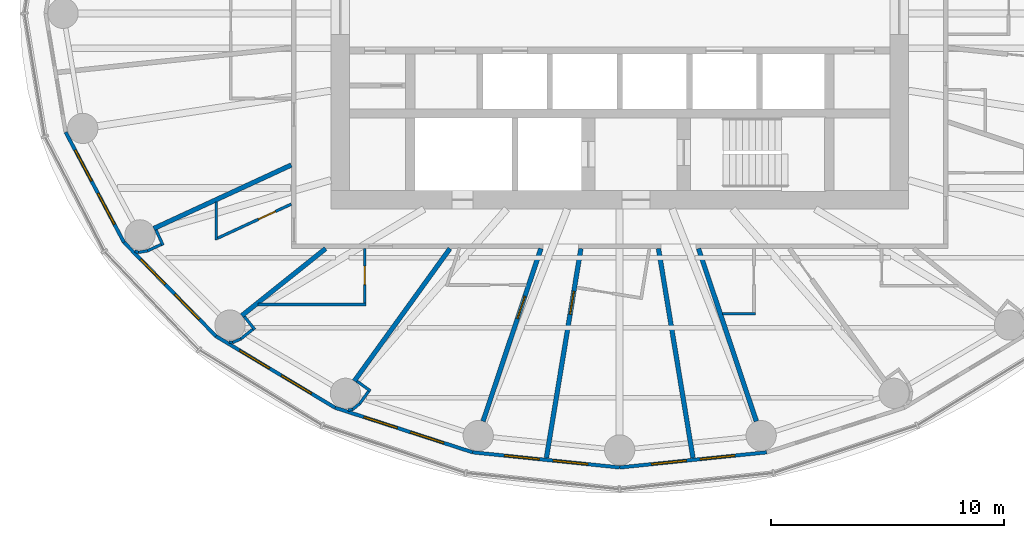
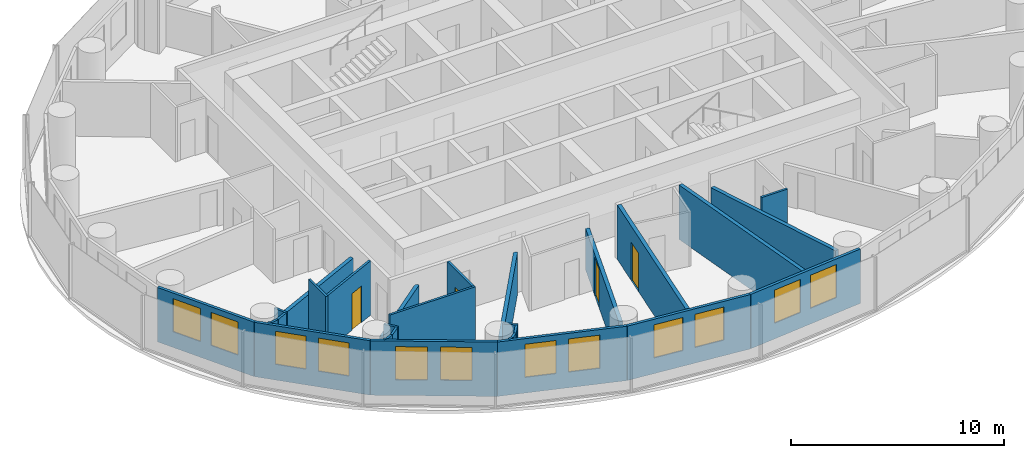
# One storey, part 6 of 13: 30 walls, 12 windows, 4 doors, 16 openings.
"""IFC4 building model written with IfcOpenShell, lengths in metres."""

from ifc_helpers import new_model, si_unit, direction, frame, frame_2d, origin, place, context, subcontext, project, spatial, rectangle, extrude, material, layer, layer_set, type_object, element, fill, save


model = new_model("IFC4")

# Units and contexts
model_context = context("Model", 3, precision=1e-05, world=origin(), true_north=direction((0.0, 1.0)))
body_context = subcontext(model_context, "Body", "Model", "MODEL_VIEW")
ifc_project = project(units=[si_unit("LENGTHUNIT", "METRE"), si_unit("AREAUNIT", "SQUARE_METRE"), si_unit("VOLUMEUNIT", "CUBIC_METRE"), si_unit("PLANEANGLEUNIT", "RADIAN"), si_unit("MASSUNIT", "GRAM", prefix="KILO")], contexts=[model_context])

# Site, building, storey
site_placement = place(None, origin())
site = spatial("IfcSite", under=ifc_project, at=site_placement, CompositionType="ELEMENT")
building_placement = place(site_placement, origin())
building = spatial("IfcBuilding", under=site, at=building_placement, Name="Hankou Lantern Tower", CompositionType="ELEMENT")
storey_placement = place(building_placement, frame((0.0, 0.0, 128.699951171875)))
storey = spatial("IfcBuildingStorey", under=building, at=storey_placement, Name="L33", CompositionType="ELEMENT", Elevation=128.699951171875)

# Wall, openings, windows
ifc_material_1 = material(Name="Aluminium spandrel panel on steel studs", Category="steel")
ifc_layer_1 = layer(ifc_material_1, 0.14990234375)
ifc_layer_set_1 = layer_set([ifc_layer_1], Name="Aluminium spandrel panel on steel studs")
wall_type_1 = type_object("IfcWallType", Name="EW1 INNER SKIN WALL 150", PredefinedType="ELEMENTEDWALL", material=ifc_layer_set_1)
wall_1_placement = place(storey_placement, frame((-23.7919921875, -5.10009765625, 0.0), z_axis=(0.0, 0.0, 1.0), x_axis=(0.467814388454, -0.883826735257, 0.0)))
wall_1 = element("IfcWall", 1, at=wall_1_placement, inside=storey, type_object=wall_type_1, Name="Inner skin R14-R15 L33", PredefinedType="ELEMENTEDWALL", context=body_context, shape_type="SweptSolid", body=[
    extrude(rectangle(XDim=5.35400390625, YDim=0.14990234375, at=frame_2d((2.677001953125, 0.0))), origin(), (0.0, 0.0, 1.0), 3.1201171875),
])
opening_1_placement = place(wall_1_placement, frame((0.876953125, 0.0, 0.89990234375)))
opening_1 = element("IfcOpeningElement", 2, at=opening_1_placement, cuts=wall_1, Name="Opening W2", PredefinedType="OPENING", context=body_context, shape_type="SweptSolid", body=[
    extrude(rectangle(XDim=1.5, YDim=1.89990234375, at=frame_2d((0.75, 0.949951171875))), frame((0.0, 0.0849609375, 0.0), z_axis=(0.0, -1.0, 0.0), x_axis=(1.0, 0.0, 0.0)), (0.0, 0.0, 1.0), 0.169921875),
])
opening_2_placement = place(wall_1_placement, frame((2.97705078125, 0.0, 0.89990234375)))
opening_2 = element("IfcOpeningElement", 3, at=opening_2_placement, cuts=wall_1, Name="Opening W2", PredefinedType="OPENING", context=body_context, shape_type="SweptSolid", body=[
    extrude(rectangle(XDim=1.5, YDim=1.89990234375, at=frame_2d((0.75, 0.949951171875))), frame((0.0, 0.0849609375, 0.0), z_axis=(0.0, -1.0, 0.0), x_axis=(1.0, 0.0, 0.0)), (0.0, 0.0, 1.0), 0.169921875),
])
ifc_material_2 = material(Name="Aluminium framed double glazed window", Category="aluminium")
window_type = type_object("IfcWindowType", Name="W2 GUEST ROOM WINDOW 1500X1900", PartitioningType="DOUBLE_PANEL_VERTICAL", PredefinedType="WINDOW", material=ifc_material_2)
window_1_placement = place(opening_1_placement, origin())
window_1 = element("IfcWindow", 4, at=window_1_placement, inside=storey, type_object=window_type, Name="Window R14.1 L33", OverallHeight=1.89990234375, OverallWidth=1.5, PartitioningType="SINGLE_PANEL", PredefinedType="WINDOW", context=body_context, shape_type="SweptSolid", body=[
    extrude(rectangle(XDim=1.5, YDim=1.89990234375, at=frame_2d((0.75, 0.949951171875))), frame((0.0, 0.030029296875, 0.0), z_axis=(0.0, -1.0, 0.0), x_axis=(1.0, 0.0, 0.0)), (0.0, 0.0, 1.0), 0.06005859375),
])
fill(opening_1, window_1)
window_2_placement = place(opening_2_placement, origin())
window_2 = element("IfcWindow", 5, at=window_2_placement, inside=storey, type_object=window_type, Name="Window R14.2 L33", OverallHeight=1.89990234375, OverallWidth=1.5, PartitioningType="SINGLE_PANEL", PredefinedType="WINDOW", context=body_context, shape_type="SweptSolid", body=[
    extrude(rectangle(XDim=1.5, YDim=1.89990234375, at=frame_2d((0.75, 0.949951171875))), frame((0.0, 0.030029296875, 0.0), z_axis=(0.0, -1.0, 0.0), x_axis=(1.0, 0.0, 0.0)), (0.0, 0.0, 1.0), 0.06005859375),
])
fill(opening_2, window_2)

wall_2_placement = place(storey_placement, frame((-21.287353515625, -9.83203125, 0.0), z_axis=(0.0, 0.0, 1.0), x_axis=(0.700136650834, -0.714008872605, 0.0)))
wall_2 = element("IfcWall", 6, at=wall_2_placement, inside=storey, type_object=wall_type_1, Name="Inner skin R15-R16 L33", PredefinedType="ELEMENTEDWALL", context=body_context, shape_type="SweptSolid", body=[
    extrude(rectangle(XDim=5.6494140625, YDim=0.14990234375, at=frame_2d((2.82470703125, 0.0))), origin(), (0.0, 0.0, 1.0), 3.1201171875),
])
opening_3_placement = place(wall_2_placement, frame((1.024658203125, 0.0, 0.89990234375)))
opening_3 = element("IfcOpeningElement", 7, at=opening_3_placement, cuts=wall_2, Name="Opening W2", PredefinedType="OPENING", context=body_context, shape_type="SweptSolid", body=[
    extrude(rectangle(XDim=1.5, YDim=1.89990234375, at=frame_2d((0.75, 0.949951171875))), frame((0.0, 0.0849609375, 0.0), z_axis=(0.0, -1.0, 0.0), x_axis=(1.0, 0.0, 0.0)), (0.0, 0.0, 1.0), 0.169921875),
])
opening_4_placement = place(wall_2_placement, frame((3.12451171875, 0.0, 0.89990234375)))
opening_4 = element("IfcOpeningElement", 8, at=opening_4_placement, cuts=wall_2, Name="Opening W2", PredefinedType="OPENING", context=body_context, shape_type="SweptSolid", body=[
    extrude(rectangle(XDim=1.5, YDim=1.89990234375, at=frame_2d((0.75, 0.949951171875))), frame((0.0, 0.0849609375, 0.0), z_axis=(0.0, -1.0, 0.0), x_axis=(1.0, 0.0, 0.0)), (0.0, 0.0, 1.0), 0.169921875),
])
window_3_placement = place(opening_3_placement, origin())
window_3 = element("IfcWindow", 9, at=window_3_placement, inside=storey, type_object=window_type, Name="Window R15.1 L33", OverallHeight=1.89990234375, OverallWidth=1.5, PartitioningType="SINGLE_PANEL", PredefinedType="WINDOW", context=body_context, shape_type="SweptSolid", body=[
    extrude(rectangle(XDim=1.5, YDim=1.89990234375, at=frame_2d((0.75, 0.949951171875))), frame((0.0, 0.030029296875, 0.0), z_axis=(0.0, -1.0, 0.0), x_axis=(1.0, 0.0, 0.0)), (0.0, 0.0, 1.0), 0.06005859375),
])
fill(opening_3, window_3)
window_4_placement = place(opening_4_placement, origin())
window_4 = element("IfcWindow", 10, at=window_4_placement, inside=storey, type_object=window_type, Name="Window R15.2 L33", OverallHeight=1.89990234375, OverallWidth=1.5, PartitioningType="SINGLE_PANEL", PredefinedType="WINDOW", context=body_context, shape_type="SweptSolid", body=[
    extrude(rectangle(XDim=1.5, YDim=1.89990234375, at=frame_2d((0.75, 0.949951171875))), frame((0.0, 0.030029296875, 0.0), z_axis=(0.0, -1.0, 0.0), x_axis=(1.0, 0.0, 0.0)), (0.0, 0.0, 1.0), 0.06005859375),
])
fill(opening_4, window_4)

wall_3_placement = place(storey_placement, frame((-17.33203125, -13.86572265625, 0.0), z_axis=(0.0, 0.0, 1.0), x_axis=(0.857308573723, -0.514802884044, 0.0)))
wall_3 = element("IfcWall", 11, at=wall_3_placement, inside=storey, type_object=wall_type_1, Name="Inner skin R16-R17 L33", PredefinedType="ELEMENTEDWALL", context=body_context, shape_type="SweptSolid", body=[
    extrude(rectangle(XDim=5.961181640625, YDim=0.14990234375, at=frame_2d((2.98046875, 0.0))), origin(), (0.0, 0.0, 1.0), 3.1201171875),
])
opening_5_placement = place(wall_3_placement, frame((1.1806640625, 0.0, 0.89990234375)))
opening_5 = element("IfcOpeningElement", 12, at=opening_5_placement, cuts=wall_3, Name="Opening W2", PredefinedType="OPENING", context=body_context, shape_type="SweptSolid", body=[
    extrude(rectangle(XDim=1.5, YDim=1.89990234375, at=frame_2d((0.75, 0.949951171875))), frame((0.0, 0.0849609375, 0.0), z_axis=(0.0, -1.0, 0.0), x_axis=(1.0, 0.0, 0.0)), (0.0, 0.0, 1.0), 0.169921875),
])
opening_6_placement = place(wall_3_placement, frame((3.280517578125, 0.0, 0.89990234375)))
opening_6 = element("IfcOpeningElement", 13, at=opening_6_placement, cuts=wall_3, Name="Opening W2", PredefinedType="OPENING", context=body_context, shape_type="SweptSolid", body=[
    extrude(rectangle(XDim=1.5, YDim=1.89990234375, at=frame_2d((0.75, 0.949951171875))), frame((0.0, 0.0849609375, 0.0), z_axis=(0.0, -1.0, 0.0), x_axis=(1.0, 0.0, 0.0)), (0.0, 0.0, 1.0), 0.169921875),
])
window_5_placement = place(opening_5_placement, origin())
window_5 = element("IfcWindow", 14, at=window_5_placement, inside=storey, type_object=window_type, Name="Window R16.1 L33", OverallHeight=1.89990234375, OverallWidth=1.5, PartitioningType="SINGLE_PANEL", PredefinedType="WINDOW", context=body_context, shape_type="SweptSolid", body=[
    extrude(rectangle(XDim=1.5, YDim=1.89990234375, at=frame_2d((0.75, 0.949951171875))), frame((0.0, 0.030029296875, 0.0), z_axis=(0.0, -1.0, 0.0), x_axis=(1.0, 0.0, 0.0)), (0.0, 0.0, 1.0), 0.06005859375),
])
fill(opening_5, window_5)
window_6_placement = place(opening_6_placement, origin())
window_6 = element("IfcWindow", 15, at=window_6_placement, inside=storey, type_object=window_type, Name="Window R16.2 L33", OverallHeight=1.89990234375, OverallWidth=1.5, PartitioningType="SINGLE_PANEL", PredefinedType="WINDOW", context=body_context, shape_type="SweptSolid", body=[
    extrude(rectangle(XDim=1.5, YDim=1.89990234375, at=frame_2d((0.75, 0.949951171875))), frame((0.0, 0.030029296875, 0.0), z_axis=(0.0, -1.0, 0.0), x_axis=(1.0, 0.0, 0.0)), (0.0, 0.0, 1.0), 0.06005859375),
])
fill(opening_6, window_6)

wall_4_placement = place(storey_placement, frame((-12.221435546875, -16.9345703125, 0.0), z_axis=(0.0, 0.0, 1.0), x_axis=(0.951272691506, -0.308350881944, 0.0)))
wall_4 = element("IfcWall", 16, at=wall_4_placement, inside=storey, type_object=wall_type_1, Name="Inner skin R17-R18 L33", PredefinedType="ELEMENTEDWALL", context=body_context, shape_type="SweptSolid", body=[
    extrude(rectangle(XDim=6.210693359375, YDim=0.14990234375, at=frame_2d((3.10546875, 0.0))), origin(), (0.0, 0.0, 1.0), 3.1201171875),
])
opening_7_placement = place(wall_4_placement, frame((1.305419921875, 0.0, 0.89990234375)))
opening_7 = element("IfcOpeningElement", 17, at=opening_7_placement, cuts=wall_4, Name="Opening W2", PredefinedType="OPENING", context=body_context, shape_type="SweptSolid", body=[
    extrude(rectangle(XDim=1.5, YDim=1.89990234375, at=frame_2d((0.75, 0.949951171875))), frame((0.0, 0.0849609375, 0.0), z_axis=(0.0, -1.0, 0.0), x_axis=(1.0, 0.0, 0.0)), (0.0, 0.0, 1.0), 0.169921875),
])
opening_8_placement = place(wall_4_placement, frame((3.4052734375, 0.0, 0.89990234375)))
opening_8 = element("IfcOpeningElement", 18, at=opening_8_placement, cuts=wall_4, Name="Opening W2", PredefinedType="OPENING", context=body_context, shape_type="SweptSolid", body=[
    extrude(rectangle(XDim=1.5, YDim=1.89990234375, at=frame_2d((0.75, 0.949951171875))), frame((0.0, 0.0849609375, 0.0), z_axis=(0.0, -1.0, 0.0), x_axis=(1.0, 0.0, 0.0)), (0.0, 0.0, 1.0), 0.169921875),
])
window_7_placement = place(opening_7_placement, origin())
window_7 = element("IfcWindow", 19, at=window_7_placement, inside=storey, type_object=window_type, Name="Window R17.1 L33", OverallHeight=1.89990234375, OverallWidth=1.5, PartitioningType="SINGLE_PANEL", PredefinedType="WINDOW", context=body_context, shape_type="SweptSolid", body=[
    extrude(rectangle(XDim=1.5, YDim=1.89990234375, at=frame_2d((0.75, 0.949951171875))), frame((0.0, 0.030029296875, 0.0), z_axis=(0.0, -1.0, 0.0), x_axis=(1.0, 0.0, 0.0)), (0.0, 0.0, 1.0), 0.06005859375),
])
fill(opening_7, window_7)
window_8_placement = place(opening_8_placement, origin())
window_8 = element("IfcWindow", 20, at=window_8_placement, inside=storey, type_object=window_type, Name="Window R17.2 L33", OverallHeight=1.89990234375, OverallWidth=1.5, PartitioningType="SINGLE_PANEL", PredefinedType="WINDOW", context=body_context, shape_type="SweptSolid", body=[
    extrude(rectangle(XDim=1.5, YDim=1.89990234375, at=frame_2d((0.75, 0.949951171875))), frame((0.0, 0.030029296875, 0.0), z_axis=(0.0, -1.0, 0.0), x_axis=(1.0, 0.0, 0.0)), (0.0, 0.0, 1.0), 0.06005859375),
])
fill(opening_8, window_8)

wall_5_placement = place(storey_placement, frame((-6.3134765625, -18.849609375, 0.0), z_axis=(0.0, 0.0, 1.0), x_axis=(0.994735690163, -0.102473931887, 0.0)))
wall_5 = element("IfcWall", 21, at=wall_5_placement, inside=storey, type_object=wall_type_1, Name="Inner skin R18-R19 L33", PredefinedType="ELEMENTEDWALL", context=body_context, shape_type="SweptSolid", body=[
    extrude(rectangle(XDim=6.346923828125, YDim=0.14990234375, at=frame_2d((3.17333984375, 0.0))), origin(), (0.0, 0.0, 1.0), 3.1201171875),
])
opening_9_placement = place(wall_5_placement, frame((1.373291015625, 0.0, 0.89990234375)))
opening_9 = element("IfcOpeningElement", 22, at=opening_9_placement, cuts=wall_5, Name="Opening W2", PredefinedType="OPENING", context=body_context, shape_type="SweptSolid", body=[
    extrude(rectangle(XDim=1.5, YDim=1.89990234375, at=frame_2d((0.75, 0.949951171875))), frame((0.0, 0.0849609375, 0.0), z_axis=(0.0, -1.0, 0.0), x_axis=(1.0, 0.0, 0.0)), (0.0, 0.0, 1.0), 0.169921875),
])
opening_10_placement = place(wall_5_placement, frame((3.473388671875, 0.0, 0.89990234375)))
opening_10 = element("IfcOpeningElement", 23, at=opening_10_placement, cuts=wall_5, Name="Opening W2", PredefinedType="OPENING", context=body_context, shape_type="SweptSolid", body=[
    extrude(rectangle(XDim=1.5, YDim=1.89990234375, at=frame_2d((0.75, 0.949951171875))), frame((0.0, 0.0849609375, 0.0), z_axis=(0.0, -1.0, 0.0), x_axis=(1.0, 0.0, 0.0)), (0.0, 0.0, 1.0), 0.169921875),
])
window_9_placement = place(opening_9_placement, origin())
window_9 = element("IfcWindow", 24, at=window_9_placement, inside=storey, type_object=window_type, Name="Window R18.1 L33", OverallHeight=1.89990234375, OverallWidth=1.5, PartitioningType="SINGLE_PANEL", PredefinedType="WINDOW", context=body_context, shape_type="SweptSolid", body=[
    extrude(rectangle(XDim=1.5, YDim=1.89990234375, at=frame_2d((0.75, 0.949951171875))), frame((0.0, 0.030029296875, 0.0), z_axis=(0.0, -1.0, 0.0), x_axis=(1.0, 0.0, 0.0)), (0.0, 0.0, 1.0), 0.06005859375),
])
fill(opening_9, window_9)
window_10_placement = place(opening_10_placement, origin())
window_10 = element("IfcWindow", 25, at=window_10_placement, inside=storey, type_object=window_type, Name="Window R18.2 L33", OverallHeight=1.89990234375, OverallWidth=1.5, PartitioningType="SINGLE_PANEL", PredefinedType="WINDOW", context=body_context, shape_type="SweptSolid", body=[
    extrude(rectangle(XDim=1.5, YDim=1.89990234375, at=frame_2d((0.75, 0.949951171875))), frame((0.0, 0.030029296875, 0.0), z_axis=(0.0, -1.0, 0.0), x_axis=(1.0, 0.0, 0.0)), (0.0, 0.0, 1.0), 0.06005859375),
])
fill(opening_10, window_10)

wall_6_placement = place(storey_placement, frame((0.0, -19.5, 0.0), z_axis=(0.0, 0.0, 1.0), x_axis=(0.994735690163, 0.102473931887, 0.0)))
wall_6 = element("IfcWall", 26, at=wall_6_placement, inside=storey, type_object=wall_type_1, Name="Inner skin R19-R20 L33", PredefinedType="ELEMENTEDWALL", context=body_context, shape_type="SweptSolid", body=[
    extrude(rectangle(XDim=6.346923828125, YDim=0.14990234375, at=frame_2d((3.17333984375, 0.0))), origin(), (0.0, 0.0, 1.0), 3.1201171875),
])
opening_11_placement = place(wall_6_placement, frame((1.373291015625, 0.0, 0.89990234375)))
opening_11 = element("IfcOpeningElement", 27, at=opening_11_placement, cuts=wall_6, Name="Opening W2", PredefinedType="OPENING", context=body_context, shape_type="SweptSolid", body=[
    extrude(rectangle(XDim=1.5, YDim=1.89990234375, at=frame_2d((0.75, 0.949951171875))), frame((0.0, 0.0849609375, 0.0), z_axis=(0.0, -1.0, 0.0), x_axis=(1.0, 0.0, 0.0)), (0.0, 0.0, 1.0), 0.169921875),
])
opening_12_placement = place(wall_6_placement, frame((3.473388671875, 0.0, 0.89990234375)))
opening_12 = element("IfcOpeningElement", 28, at=opening_12_placement, cuts=wall_6, Name="Opening W2", PredefinedType="OPENING", context=body_context, shape_type="SweptSolid", body=[
    extrude(rectangle(XDim=1.5, YDim=1.89990234375, at=frame_2d((0.75, 0.949951171875))), frame((0.0, 0.0849609375, 0.0), z_axis=(0.0, -1.0, 0.0), x_axis=(1.0, 0.0, 0.0)), (0.0, 0.0, 1.0), 0.169921875),
])
window_11_placement = place(opening_11_placement, origin())
window_11 = element("IfcWindow", 29, at=window_11_placement, inside=storey, type_object=window_type, Name="Window R19.1 L33", OverallHeight=1.89990234375, OverallWidth=1.5, PartitioningType="SINGLE_PANEL", PredefinedType="WINDOW", context=body_context, shape_type="SweptSolid", body=[
    extrude(rectangle(XDim=1.5, YDim=1.89990234375, at=frame_2d((0.75, 0.949951171875))), frame((0.0, 0.030029296875, 0.0), z_axis=(0.0, -1.0, 0.0), x_axis=(1.0, 0.0, 0.0)), (0.0, 0.0, 1.0), 0.06005859375),
])
fill(opening_11, window_11)
window_12_placement = place(opening_12_placement, origin())
window_12 = element("IfcWindow", 30, at=window_12_placement, inside=storey, type_object=window_type, Name="Window R19.2 L33", OverallHeight=1.89990234375, OverallWidth=1.5, PartitioningType="SINGLE_PANEL", PredefinedType="WINDOW", context=body_context, shape_type="SweptSolid", body=[
    extrude(rectangle(XDim=1.5, YDim=1.89990234375, at=frame_2d((0.75, 0.949951171875))), frame((0.0, 0.030029296875, 0.0), z_axis=(0.0, -1.0, 0.0), x_axis=(1.0, 0.0, 0.0)), (0.0, 0.0, 1.0), 0.06005859375),
])
fill(opening_12, window_12)

# Walls
ifc_material_3 = material(Name="Masonry lightweight concrete block", Category="masonry")
ifc_layer_2 = layer(ifc_material_3, 0.199951171875)
ifc_layer_set_2 = layer_set([ifc_layer_2], Name="Masonry lightweight concrete block")
wall_type_2 = type_object("IfcWallType", Name="IW1 GUEST ROOM PARTY WALL 200", PredefinedType="PARTITIONING", material=ifc_layer_set_2)
wall_7_placement = place(storey_placement, frame((-14.10009765625, -6.512451171875, 0.0), z_axis=(0.0, 0.0, 1.0), x_axis=(-0.907833019998, -0.419331858797, 0.0)))
element("IfcWall", 31, at=wall_7_placement, inside=storey, type_object=wall_type_2, Name="Party wall R15", PredefinedType="PARTITIONING", context=body_context, shape_type="SweptSolid", body=[
    extrude(rectangle(XDim=6.505126953125, YDim=0.199951171875, at=frame_2d((3.25244140625, 0.0))), origin(), (0.0, 0.0, 1.0), 2.27001953125),
])
wall_8_placement = place(storey_placement, frame((-12.625, -10.10009765625, 0.0), z_axis=(0.0, 0.0, 1.0), x_axis=(-0.780863644897, -0.624701503182, 0.0)))
element("IfcWall", 32, at=wall_8_placement, inside=storey, type_object=wall_type_2, Name="Party wall R16", PredefinedType="PARTITIONING", context=body_context, shape_type="SweptSolid", body=[
    extrude(rectangle(XDim=4.612060546875, YDim=0.199951171875, at=frame_2d((2.30615234375, 0.0))), origin(), (0.0, 0.0, 1.0), 2.3701171875),
])
wall_9_placement = place(storey_placement, frame((-7.2890625, -10.10009765625, 0.0), z_axis=(0.0, 0.0, 1.0), x_axis=(-0.585217367024, -0.81087645997, 0.0)))
element("IfcWall", 33, at=wall_9_placement, inside=storey, type_object=wall_type_2, Name="Party wall R17", PredefinedType="PARTITIONING", context=body_context, shape_type="SweptSolid", body=[
    extrude(rectangle(XDim=7.01611328125, YDim=0.199951171875, at=frame_2d((3.508056640625, 0.0))), origin(), (0.0, 0.0, 1.0), 2.3701171875),
])

# Wall, opening, door
ifc_material_4 = material(Name="Masonry lightweight concrete block", Category="masonry")
ifc_layer_3 = layer(ifc_material_4, 0.199951171875)
ifc_layer_set_3 = layer_set([ifc_layer_3], Name="Masonry lightweight concrete block")
wall_type_3 = type_object("IfcWallType", Name="IW2 CORRIDOR WALL 200", PredefinedType="PARTITIONING", material=ifc_layer_set_3)
wall_10_placement = place(storey_placement, frame((-3.3828125, -10.10009765625, 0.0), z_axis=(0.0, 0.0, 1.0), x_axis=(-0.317603705574, -0.948223542318, 0.0)))
wall_10 = element("IfcWall", 34, at=wall_10_placement, inside=storey, type_object=wall_type_3, Name="Corridor spur wall R18", PredefinedType="PARTITIONING", context=body_context, shape_type="SweptSolid", body=[
    extrude(rectangle(XDim=7.822998046875, YDim=0.199951171875, at=frame_2d((3.91162109375, 0.0))), origin(), (0.0, 0.0, 1.0), 2.3701171875),
])
opening_13_placement = place(wall_10_placement, frame((2.168212890625, 0.0, 0.0)))
opening_13 = element("IfcOpeningElement", 35, at=opening_13_placement, cuts=wall_10, Name="Opening D1", PredefinedType="OPENING", context=body_context, shape_type="SweptSolid", body=[
    extrude(rectangle(XDim=1.0, YDim=2.199951171875, at=frame_2d((0.5, 1.10009765625))), frame((0.0, 0.10986328125, 0.0), z_axis=(0.0, -1.0, 0.0), x_axis=(1.0, 0.0, 0.0)), (0.0, 0.0, 1.0), 0.219970703125),
])
ifc_material_5 = material(Name="Steel door leaf", Category="steel")
door_type_1 = type_object("IfcDoorType", Name="D1 GUEST ROOM DOOR 1000X2200", OperationType="SINGLE_SWING_LEFT", PredefinedType="DOOR", material=ifc_material_5)
door_1_placement = place(opening_13_placement, origin())
door_1 = element("IfcDoor", 36, at=door_1_placement, inside=storey, type_object=door_type_1, Name="Guest room door 3310", OperationType="SINGLE_SWING_LEFT", OverallHeight=2.199951171875, OverallWidth=1.0, PredefinedType="DOOR", context=body_context, shape_type="SweptSolid", body=[
    extrude(rectangle(XDim=1.0, YDim=2.199951171875, at=frame_2d((0.5, 1.10009765625))), frame((0.0, 0.02490234375, 0.0), z_axis=(0.0, -1.0, 0.0), x_axis=(1.0, 0.0, 0.0)), (0.0, 0.0, 1.0), 0.050048828125),
])
fill(opening_13, door_1)

wall_11_placement = place(storey_placement, frame((-1.665283203125, -10.10009765625, 0.0), z_axis=(0.0, 0.0, 1.0), x_axis=(-0.162660519103, -0.986682094459, 0.0)))
wall_11 = element("IfcWall", 37, at=wall_11_placement, inside=storey, type_object=wall_type_3, Name="Corridor spur wall R18-R19", PredefinedType="PARTITIONING", context=body_context, shape_type="SweptSolid", body=[
    extrude(rectangle(XDim=9.110595703125, YDim=0.199951171875, at=frame_2d((4.55517578125, 0.0))), origin(), (0.0, 0.0, 1.0), 3.1201171875),
])
opening_14_placement = place(wall_11_placement, frame((1.860107421875, 0.0, 0.0)))
opening_14 = element("IfcOpeningElement", 38, at=opening_14_placement, cuts=wall_11, Name="Opening D1", PredefinedType="OPENING", context=body_context, shape_type="SweptSolid", body=[
    extrude(rectangle(XDim=1.0, YDim=2.199951171875, at=frame_2d((0.5, 1.10009765625))), frame((0.0, 0.10986328125, 0.0), z_axis=(0.0, -1.0, 0.0), x_axis=(1.0, 0.0, 0.0)), (0.0, 0.0, 1.0), 0.219970703125),
])
door_2_placement = place(opening_14_placement, origin())
door_2 = element("IfcDoor", 39, at=door_2_placement, inside=storey, type_object=door_type_1, Name="Guest room door 3312", OperationType="SINGLE_SWING_LEFT", OverallHeight=2.199951171875, OverallWidth=1.0, PredefinedType="DOOR", context=body_context, shape_type="SweptSolid", body=[
    extrude(rectangle(XDim=1.0, YDim=2.199951171875, at=frame_2d((0.5, 1.10009765625))), frame((0.0, 0.02490234375, 0.0), z_axis=(0.0, -1.0, 0.0), x_axis=(1.0, 0.0, 0.0)), (0.0, 0.0, 1.0), 0.050048828125),
])
fill(opening_14, door_2)

# Walls
wall_12_placement = place(storey_placement, frame((1.665283203125, -10.10009765625, 0.0), z_axis=(0.0, 0.0, 1.0), x_axis=(0.162660519103, -0.986682094459, 0.0)))
element("IfcWall", 40, at=wall_12_placement, inside=storey, type_object=wall_type_3, Name="Corridor spur wall R19-R20", PredefinedType="PARTITIONING", context=body_context, shape_type="SweptSolid", body=[
    extrude(rectangle(XDim=9.110595703125, YDim=0.199951171875, at=frame_2d((4.55517578125, 0.0))), origin(), (0.0, 0.0, 1.0), 3.1201171875),
])
wall_13_placement = place(storey_placement, frame((3.3828125, -10.10009765625, 0.0), z_axis=(0.0, 0.0, 1.0), x_axis=(0.317603705574, -0.948223542318, 0.0)))
element("IfcWall", 41, at=wall_13_placement, inside=storey, type_object=wall_type_3, Name="Corridor spur wall R20", PredefinedType="PARTITIONING", context=body_context, shape_type="SweptSolid", body=[
    extrude(rectangle(XDim=7.822998046875, YDim=0.199951171875, at=frame_2d((3.91162109375, 0.0))), origin(), (0.0, 0.0, 1.0), 2.3701171875),
])
ifc_material_6 = material(Name="Masonry lightweight concrete block", Category="masonry")
ifc_layer_4 = layer(ifc_material_6, 0.1201171875)
ifc_layer_set_4 = layer_set([ifc_layer_4], Name="Masonry lightweight concrete block")
wall_type_4 = type_object("IfcWallType", Name="IW3 BATHROOM WALL 120", PredefinedType="PARTITIONING", material=ifc_layer_set_4)
wall_14_placement = place(storey_placement, frame((-17.32275390625, -8.10107421875, 0.0), z_axis=(0.0, 0.0, 1.0), x_axis=(0.0, -1.0, 0.0)))
element("IfcWall", 42, at=wall_14_placement, inside=storey, type_object=wall_type_4, Name="Box wall 3308 1", PredefinedType="PARTITIONING", context=body_context, shape_type="SweptSolid", body=[
    extrude(rectangle(XDim=1.639892578125, YDim=0.1201171875, at=frame_2d((0.81982421875, 0.0))), origin(), (0.0, 0.0, 1.0), 3.1201171875),
])

# Wall, opening, door
wall_15_placement = place(storey_placement, frame((-14.10009765625, -8.192626953125, 0.0), z_axis=(0.0, 0.0, 1.0), x_axis=(-0.907836493557, -0.419324338628, 0.0)))
wall_15 = element("IfcWall", 43, at=wall_15_placement, inside=storey, type_object=wall_type_4, Name="Box wall 3308 1", PredefinedType="PARTITIONING", context=body_context, shape_type="SweptSolid", body=[
    extrude(rectangle(XDim=3.48974609375, YDim=0.1201171875, at=frame_2d((1.744873046875, 0.0))), origin(), (0.0, 0.0, 1.0), 3.1201171875),
])
opening_15_placement = place(wall_15_placement, frame((0.75, 0.0, 0.0)))
opening_15 = element("IfcOpeningElement", 44, at=opening_15_placement, cuts=wall_15, Name="Opening D3", PredefinedType="OPENING", context=body_context, shape_type="SweptSolid", body=[
    extrude(rectangle(XDim=0.800048828125, YDim=2.10009765625, at=frame_2d((0.39990234375, 1.050048828125))), frame((0.0, 0.070068359375, 0.0), z_axis=(0.0, -1.0, 0.0), x_axis=(1.0, 0.0, 0.0)), (0.0, 0.0, 1.0), 0.14013671875),
])
ifc_material_7 = material(Name="Timber door leaf", Category="wood")
door_type_2 = type_object("IfcDoorType", Name="D3 BATHROOM DOOR 800X2100", OperationType="SINGLE_SWING_LEFT", PredefinedType="DOOR", material=ifc_material_7)
door_3_placement = place(opening_15_placement, origin())
door_3 = element("IfcDoor", 45, at=door_3_placement, inside=storey, type_object=door_type_2, Name="En-suite bathroom 3308 door", OperationType="SINGLE_SWING_LEFT", OverallHeight=2.10009765625, OverallWidth=0.800048828125, PredefinedType="DOOR", context=body_context, shape_type="SweptSolid", body=[
    extrude(rectangle(XDim=0.800048828125, YDim=2.10009765625, at=frame_2d((0.39990234375, 1.050048828125))), frame((0.0, 0.02490234375, 0.0), z_axis=(0.0, -1.0, 0.0), x_axis=(1.0, 0.0, 0.0)), (0.0, 0.0, 1.0), 0.050048828125),
])
fill(opening_15, door_3)

# Wall
wall_16_placement = place(storey_placement, frame((-15.52490234375, -12.5, 0.0), z_axis=(0.0, 0.0, 1.0), x_axis=(1.0, 0.0, 0.0)))
element("IfcWall", 46, at=wall_16_placement, inside=storey, type_object=wall_type_4, Name="Box wall 3309 1", PredefinedType="PARTITIONING", context=body_context, shape_type="SweptSolid", body=[
    extrude(rectangle(XDim=4.639892578125, YDim=0.1201171875, at=frame_2d((2.31982421875, 0.0))), origin(), (0.0, 0.0, 1.0), 3.1201171875),
])

# Wall, opening, door
wall_17_placement = place(storey_placement, frame((-10.945068359375, -10.10009765625, 0.0), z_axis=(0.0, 0.0, 1.0), x_axis=(0.0, -1.0, 0.0)))
wall_17 = element("IfcWall", 47, at=wall_17_placement, inside=storey, type_object=wall_type_4, Name="Box wall 3309 1", PredefinedType="PARTITIONING", context=body_context, shape_type="SweptSolid", body=[
    extrude(rectangle(XDim=2.33984375, YDim=0.1201171875, at=frame_2d((1.169921875, 0.0))), origin(), (0.0, 0.0, 1.0), 3.1201171875),
])
opening_16_placement = place(wall_17_placement, frame((0.75, 0.0, 0.0)))
opening_16 = element("IfcOpeningElement", 48, at=opening_16_placement, cuts=wall_17, Name="Opening D3", PredefinedType="OPENING", context=body_context, shape_type="SweptSolid", body=[
    extrude(rectangle(XDim=0.800048828125, YDim=2.10009765625, at=frame_2d((0.39990234375, 1.050048828125))), frame((0.0, 0.070068359375, 0.0), z_axis=(0.0, -1.0, 0.0), x_axis=(1.0, 0.0, 0.0)), (0.0, 0.0, 1.0), 0.14013671875),
])
door_4_placement = place(opening_16_placement, origin())
door_4 = element("IfcDoor", 49, at=door_4_placement, inside=storey, type_object=door_type_2, Name="En-suite bathroom 3309 door", OperationType="SINGLE_SWING_LEFT", OverallHeight=2.10009765625, OverallWidth=0.800048828125, PredefinedType="DOOR", context=body_context, shape_type="SweptSolid", body=[
    extrude(rectangle(XDim=0.800048828125, YDim=2.10009765625, at=frame_2d((0.39990234375, 1.050048828125))), frame((0.0, 0.02490234375, 0.0), z_axis=(0.0, -1.0, 0.0), x_axis=(1.0, 0.0, 0.0)), (0.0, 0.0, 1.0), 0.050048828125),
])
fill(opening_16, door_4)

# Walls
wall_18_placement = place(storey_placement, frame((4.420654296875, -12.89990234375, 0.0), z_axis=(0.0, 0.0, 1.0), x_axis=(1.0, 0.0, 0.0)))
element("IfcWall", 50, at=wall_18_placement, inside=storey, type_object=wall_type_4, Name="Box wall 3314A 1", PredefinedType="PARTITIONING", context=body_context, shape_type="SweptSolid", body=[
    extrude(rectangle(XDim=1.402099609375, YDim=0.1201171875, at=frame_2d((0.701171875, 0.0))), origin(), (0.0, 0.0, 1.0), 3.1201171875),
])
ifc_material_8 = material(Name="Masonry lightweight concrete block", Category="masonry")
ifc_layer_5 = layer(ifc_material_8, 0.1201171875)
ifc_layer_set_5 = layer_set([ifc_layer_5], Name="Masonry lightweight concrete block")
wall_type_5 = type_object("IfcWallType", Name="IW4 PARTITION 120", PredefinedType="PARTITIONING", material=ifc_layer_set_5)
wall_19_placement = place(storey_placement, frame((-19.9091796875, -9.305908203125, 0.0), z_axis=(0.0, 0.0, 1.0), x_axis=(0.419296148934, -0.90784951368, 0.0)))
element("IfcWall", 51, at=wall_19_placement, inside=storey, type_object=wall_type_5, Name="Column casing R15 return", PredefinedType="PARTITIONING", context=body_context, shape_type="SweptSolid", body=[
    extrude(rectangle(XDim=0.715576171875, YDim=0.1201171875, at=frame_2d((0.35791015625, 0.0))), origin(), (0.0, 0.0, 1.0), 3.1201171875),
])
wall_20_placement = place(storey_placement, frame((-19.688720703125, -9.92626953125, 0.0), z_axis=(0.0, 0.0, 1.0), x_axis=(-0.907893409272, -0.419201094227, 0.0)))
element("IfcWall", 52, at=wall_20_placement, inside=storey, type_object=wall_type_5, Name="Column casing R15", PredefinedType="PARTITIONING", context=body_context, shape_type="SweptSolid", body=[
    extrude(rectangle(XDim=0.64990234375, YDim=0.1201171875, at=frame_2d((0.324951171875, 0.0))), origin(), (0.0, 0.0, 1.0), 3.1201171875),
])
wall_21_placement = place(storey_placement, frame((-20.27880859375, -10.19873046875, 0.0), z_axis=(0.0, 0.0, 1.0), x_axis=(-0.985380740712, -0.170366651181, 0.0)))
element("IfcWall", 53, at=wall_21_placement, inside=storey, type_object=wall_type_5, Name="Column casing R15", PredefinedType="PARTITIONING", context=body_context, shape_type="SweptSolid", body=[
    extrude(rectangle(XDim=0.39111328125, YDim=0.1201171875, at=frame_2d((0.195556640625, 0.0))), origin(), (0.0, 0.0, 1.0), 3.1201171875),
])
wall_22_placement = place(storey_placement, frame((-20.664306640625, -10.265380859375, 0.0), z_axis=(0.0, 0.0, 1.0), x_axis=(-0.938058651481, 0.346476501918, 0.0)))
element("IfcWall", 54, at=wall_22_placement, inside=storey, type_object=wall_type_5, Name="Column casing R15", PredefinedType="PARTITIONING", context=body_context, shape_type="SweptSolid", body=[
    extrude(rectangle(XDim=0.161376953125, YDim=0.1201171875, at=frame_2d((0.08056640625, 0.0))), origin(), (0.0, 0.0, 1.0), 3.1201171875),
])
wall_23_placement = place(storey_placement, frame((-16.116943359375, -13.021728515625, 0.0), z_axis=(0.0, 0.0, 1.0), x_axis=(0.62465344249, -0.780902091677, 0.0)))
element("IfcWall", 55, at=wall_23_placement, inside=storey, type_object=wall_type_5, Name="Column casing R16 return", PredefinedType="PARTITIONING", context=body_context, shape_type="SweptSolid", body=[
    extrude(rectangle(XDim=0.715576171875, YDim=0.1201171875, at=frame_2d((0.35791015625, 0.0))), origin(), (0.0, 0.0, 1.0), 3.1201171875),
])
wall_24_placement = place(storey_placement, frame((-15.754150390625, -13.5712890625, 0.0), z_axis=(0.0, 0.0, 1.0), x_axis=(-0.780905453553, -0.624649239663, 0.0)))
element("IfcWall", 56, at=wall_24_placement, inside=storey, type_object=wall_type_5, Name="Column casing R16", PredefinedType="PARTITIONING", context=body_context, shape_type="SweptSolid", body=[
    extrude(rectangle(XDim=0.64990234375, YDim=0.1201171875, at=frame_2d((0.324951171875, 0.0))), origin(), (0.0, 0.0, 1.0), 3.1201171875),
])
wall_25_placement = place(storey_placement, frame((-16.26171875, -13.977294921875, 0.0), z_axis=(0.0, 0.0, 1.0), x_axis=(-0.915985403703, -0.401211590314, 0.0)))
element("IfcWall", 57, at=wall_25_placement, inside=storey, type_object=wall_type_5, Name="Column casing R16", PredefinedType="PARTITIONING", context=body_context, shape_type="SweptSolid", body=[
    extrude(rectangle(XDim=0.391357421875, YDim=0.1201171875, at=frame_2d((0.19580078125, 0.0))), origin(), (0.0, 0.0, 1.0), 3.1201171875),
])
wall_26_placement = place(storey_placement, frame((-16.6201171875, -14.13427734375, 0.0), z_axis=(0.0, 0.0, 1.0), x_axis=(-0.993941871493, 0.109907033867, 0.0)))
element("IfcWall", 58, at=wall_26_placement, inside=storey, type_object=wall_type_5, Name="Column casing R16", PredefinedType="PARTITIONING", context=body_context, shape_type="SweptSolid", body=[
    extrude(rectangle(XDim=0.1533203125, YDim=0.1201171875, at=frame_2d((0.07666015625, 0.0))), origin(), (0.0, 0.0, 1.0), 3.1201171875),
])
wall_27_placement = place(storey_placement, frame((-11.27880859375, -15.799072265625, 0.0), z_axis=(0.0, 0.0, 1.0), x_axis=(0.810912957127, -0.585166793285, 0.0)))
element("IfcWall", 59, at=wall_27_placement, inside=storey, type_object=wall_type_5, Name="Column casing R17 return", PredefinedType="PARTITIONING", context=body_context, shape_type="SweptSolid", body=[
    extrude(rectangle(XDim=0.7158203125, YDim=0.1201171875, at=frame_2d((0.35791015625, 0.0))), origin(), (0.0, 0.0, 1.0), 3.1201171875),
])
wall_28_placement = place(storey_placement, frame((-10.781982421875, -16.2314453125, 0.0), z_axis=(0.0, 0.0, 1.0), x_axis=(-0.585175102182, -0.810906961239, 0.0)))
element("IfcWall", 60, at=wall_28_placement, inside=storey, type_object=wall_type_5, Name="Column casing R17", PredefinedType="PARTITIONING", context=body_context, shape_type="SweptSolid", body=[
    extrude(rectangle(XDim=0.64990234375, YDim=0.1201171875, at=frame_2d((0.324951171875, 0.0))), origin(), (0.0, 0.0, 1.0), 3.1201171875),
])
wall_29_placement = place(storey_placement, frame((-11.162353515625, -16.758544921875, 0.0), z_axis=(0.0, 0.0, 1.0), x_axis=(-0.775178428527, -0.63174235567, 0.0)))
element("IfcWall", 61, at=wall_29_placement, inside=storey, type_object=wall_type_5, Name="Column casing R17", PredefinedType="PARTITIONING", context=body_context, shape_type="SweptSolid", body=[
    extrude(rectangle(XDim=0.3916015625, YDim=0.1201171875, at=frame_2d((0.19580078125, 0.0))), origin(), (0.0, 0.0, 1.0), 3.1201171875),
])
wall_30_placement = place(storey_placement, frame((-11.4658203125, -17.005859375, 0.0), z_axis=(0.0, 0.0, 1.0), x_axis=(-0.987228877621, -0.15930832744, 0.0)))
element("IfcWall", 62, at=wall_30_placement, inside=storey, type_object=wall_type_5, Name="Column casing R17", PredefinedType="PARTITIONING", context=body_context, shape_type="SweptSolid", body=[
    extrude(rectangle(XDim=0.202392578125, YDim=0.1201171875, at=frame_2d((0.10107421875, 0.0))), origin(), (0.0, 0.0, 1.0), 3.1201171875),
])

save(model, "model.ifc")
